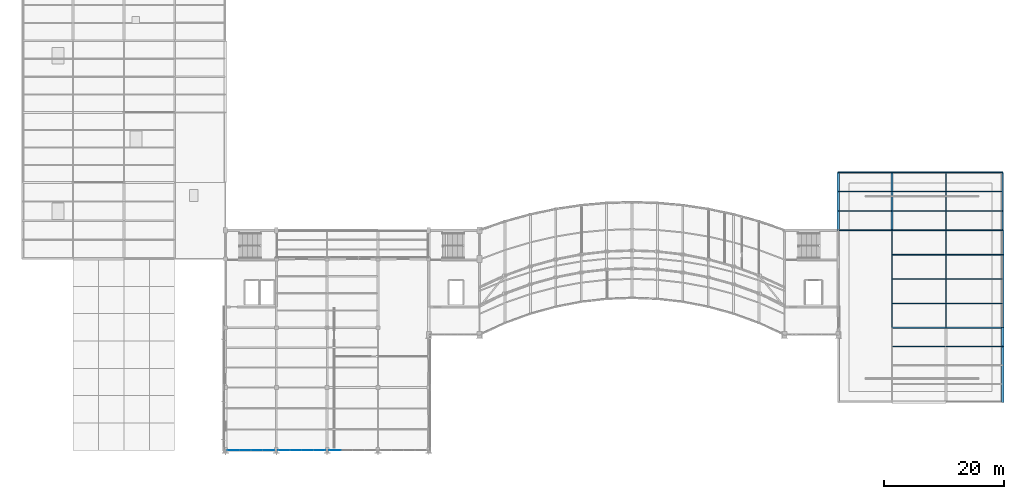
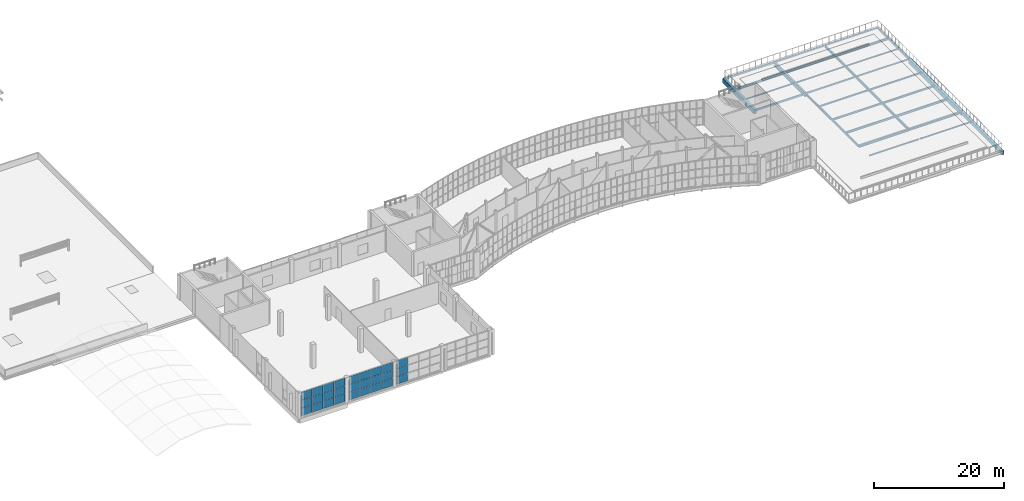
# One storey, part 40 of 66: 30 beams, 27 plates, 3 elements without a shape of their own.
"""IFC4 building model written with IfcOpenShell, lengths in metres."""

import ifcopenshell
import ifcopenshell.guid

model = None  # the IFC model being written
_history = None  # IfcOwnerHistory: only IFC2X3 demands one
_inside = {}  # id of a spatial element -> (the spatial element, [elements in it])
_under = {}  # id of a project, library or spatial element -> (it, [spatial elements below it])
_declared = {}  # id of a project -> (the project, [libraries it declares])
_typed = {}  # id of a type object -> (the type object, [elements of that type])
_made_of = {}  # id of a material, layer set ... -> (it, [elements and type objects made of it])


def new_model(schema):
    """Start an empty IFC model of exactly this schema.

    Asked for "IFC4X3", IfcOpenShell would pick the latest addendum, in which some entities
    have other attributes; the version numbers below select the first issue.
    IFC2X3 requires an IfcOwnerHistory on every rooted entity: one is made here for all.
    """
    global model, _history
    if schema == "IFC4X3":
        model = ifcopenshell.file(schema_version=(4, 3, 0, 0))
    else:
        model = ifcopenshell.file(schema=schema)
    _inside.clear()
    _under.clear()
    _declared.clear()
    _typed.clear()
    _made_of.clear()
    _history = None
    if model.schema == "IFC2X3":
        org = make("IfcOrganization", Name="unknown")
        user = make(
            "IfcPersonAndOrganization",
            ThePerson=make("IfcPerson", FamilyName="unknown"),
            TheOrganization=org,
        )
        app = make(
            "IfcApplication",
            ApplicationDeveloper=org,
            Version="unknown",
            ApplicationFullName="unknown",
            ApplicationIdentifier="unknown",
        )
        _history = make(
            "IfcOwnerHistory",
            OwningUser=user,
            OwningApplication=app,
            ChangeAction="ADDED",
            CreationDate=0,
        )
    return model


def make(cls, **values):
    """One entity of the class cls with the attributes given. An attribute that is None is left unset."""
    return model.create_entity(
        cls, **{name: value for name, value in values.items() if value is not None}
    )


def rooted(cls, **values):
    """An entity with a GlobalId (a new one), such as an element, a storey or a relation."""
    return make(cls, GlobalId=ifcopenshell.guid.new(), OwnerHistory=_history, **values)


def si_unit(unit_type, name, prefix=None):
    """IfcSIUnit, for example si_unit("LENGTHUNIT", "METRE", prefix="MILLI")."""
    return make("IfcSIUnit", UnitType=unit_type, Prefix=prefix, Name=name)


def assignment(units):
    """IfcUnitAssignment: the units of a project."""
    return None if units is None else make("IfcUnitAssignment", Units=units)


def point(xyz):
    """IfcCartesianPoint."""
    return None if xyz is None else make("IfcCartesianPoint", Coordinates=xyz)


def direction(xyz):
    """IfcDirection."""
    return None if xyz is None else make("IfcDirection", DirectionRatios=xyz)


def frame(location, z_axis=None, x_axis=None):
    """IfcAxis2Placement3D, a coordinate frame: its origin and axes. An axis left out is left unset."""
    return make(
        "IfcAxis2Placement3D",
        Location=point(location),
        Axis=direction(z_axis),
        RefDirection=direction(x_axis),
    )


def frame_2d(location, x_axis=None):
    """IfcAxis2Placement2D, a coordinate frame in the plane: its origin and x axis."""
    return make(
        "IfcAxis2Placement2D", Location=point(location), RefDirection=direction(x_axis)
    )


def origin():
    """The frame at (0, 0, 0) with its axes left unset."""
    return frame((0.0, 0.0, 0.0))


def origin_2d():
    """The frame at (0, 0) in the plane with its x axis left unset."""
    return frame_2d((0.0, 0.0))


def place(relative_to, where):
    """IfcLocalPlacement: puts the frame where relative to a parent placement (None: the world)."""
    return make(
        "IfcLocalPlacement", PlacementRelTo=relative_to, RelativePlacement=where
    )


def context(
    kind, dimensions, precision=None, world=None, true_north=None, identifier=None
):
    """IfcGeometricRepresentationContext, for example the 3D "Model" context."""
    return make(
        "IfcGeometricRepresentationContext",
        ContextIdentifier=identifier,
        ContextType=kind,
        CoordinateSpaceDimension=dimensions,
        Precision=precision,
        WorldCoordinateSystem=world,
        TrueNorth=true_north,
    )


def subcontext(parent, identifier, kind, view, scale=None):
    """IfcGeometricRepresentationSubContext, for example "Body" below "Model"."""
    return make(
        "IfcGeometricRepresentationSubContext",
        ContextIdentifier=identifier,
        ContextType=kind,
        ParentContext=parent,
        TargetScale=scale,
        TargetView=view,
    )


def project(units=None, contexts=None):
    """IfcProject with its units and contexts."""
    return rooted(
        "IfcProject",
        Name="project",
        RepresentationContexts=contexts,
        UnitsInContext=assignment(units),
    )


def spatial(cls, under=None, at=None, **own):
    """A site, building, storey or space (cls), placed at a placement, below another one or the project."""
    s = rooted(cls, ObjectPlacement=at, **own)
    if under is not None:
        _under.setdefault(under.id(), (under, []))[1].append(s)
    return s


def profile(cls, at=None, kind="AREA", **sizes):
    """A parametric profile (cls). Its sizes go by their IFC names, for example OverallWidth=200.0."""
    return make(cls, ProfileType=kind, Position=at, **sizes)


def rectangle(**sizes):
    """IfcRectangleProfileDef."""
    return profile("IfcRectangleProfileDef", **sizes)


def hollow_rectangle(**sizes):
    """IfcRectangleHollowProfileDef."""
    return profile("IfcRectangleHollowProfileDef", **sizes)


def i_section(**sizes):
    """IfcIShapeProfileDef."""
    return profile("IfcIShapeProfileDef", **sizes)


def extrude(swept, where, along, depth):
    """IfcExtrudedAreaSolid: the profile swept, set in the frame where, extruded along a direction by depth."""
    return make(
        "IfcExtrudedAreaSolid",
        SweptArea=swept,
        Position=where,
        ExtrudedDirection=direction(along),
        Depth=depth,
    )


def shape(context_of_items, identifier, shape_type, items):
    """IfcShapeRepresentation: the items that make up one representation, for example the "Body"."""
    return make(
        "IfcShapeRepresentation",
        ContextOfItems=context_of_items,
        RepresentationIdentifier=identifier,
        RepresentationType=shape_type,
        Items=items,
    )


def material(Name=None, Category=None):
    """IfcMaterial."""
    return make("IfcMaterial", Name=Name, Category=Category)


def layer(
    of_material, thickness, ventilated=None, Name=None, Category=None, Priority=None
):
    """IfcMaterialLayer: one layer of a wall or slab, of a material (None: an air gap)."""
    return make(
        "IfcMaterialLayer",
        Material=of_material,
        LayerThickness=thickness,
        IsVentilated=ventilated,
        Name=Name,
        Category=Category,
        Priority=Priority,
    )


def layer_set(layers, Name=None):
    """IfcMaterialLayerSet."""
    return make("IfcMaterialLayerSet", MaterialLayers=layers, LayerSetName=Name)


def material_profile(
    of_material, cross_section, Name=None, Category=None, Priority=None
):
    """IfcMaterialProfile: a cross section and its material."""
    return make(
        "IfcMaterialProfile",
        Name=Name,
        Material=of_material,
        Profile=cross_section,
        Priority=Priority,
        Category=Category,
    )


def profile_set(profiles, Name=None, composite=None):
    """IfcMaterialProfileSet."""
    return make(
        "IfcMaterialProfileSet",
        Name=Name,
        MaterialProfiles=profiles,
        CompositeProfile=composite,
    )


def made_of(thing, what):
    """Note that an element or type object is made of a material, layer set ...; save() writes the relation."""
    if what is not None:
        _made_of.setdefault(what.id(), (what, []))[1].append(thing)
    return thing


def type_object(cls, material=None, **own):
    """A type object (cls), such as IfcWallType, which elements share."""
    return made_of(rooted(cls, **own), material)


def element(
    cls,
    number,
    at=None,
    inside=None,
    cuts=None,
    type_object=None,
    material=None,
    context=None,
    identifier="Body",
    shape_type=None,
    held_by="IfcProductDefinitionShape",
    body=None,
    shapes=None,
    **own,
):
    """One element of the class cls, such as IfcWall. Its Tag is "e" and its number.

    at: its placement. inside: the storey or other place that contains it. cuts: it is an
    opening in that element (IfcRelVoidsElement). A single representation is given by context,
    identifier, shape_type and body (its items); several are given by shapes. held_by: the class
    of the entity that holds the representations. save() writes the other relations.
    """
    e = rooted(cls, Tag="e%d" % number, ObjectPlacement=at, **own)
    if body is not None:
        shapes = [shape(context, identifier, shape_type, body)]
    if shapes is not None:
        e.Representation = make(held_by, Representations=shapes)
    if inside is not None:
        _inside.setdefault(inside.id(), (inside, []))[1].append(e)
    if cuts is not None:
        rooted(
            "IfcRelVoidsElement", RelatingBuildingElement=cuts, RelatedOpeningElement=e
        )
    if type_object is not None:
        _typed.setdefault(type_object.id(), (type_object, []))[1].append(e)
    return made_of(e, material)


def aggregate(whole, parts):
    """IfcRelAggregates: a whole, such as a stair, and the parts it consists of."""
    return rooted("IfcRelAggregates", RelatingObject=whole, RelatedObjects=parts)


def save(model, path):
    """Write the relations noted so far, then the file.

    IfcRelAggregates (storeys below a building ...), IfcRelContainedInSpatialStructure (elements
    in a storey), IfcRelDefinesByType, IfcRelAssociatesMaterial and IfcRelDeclares: one each for
    every whole, place, type object, material and project.
    """
    for whole, parts in _under.values():
        aggregate(whole, parts)
    for where, things in _inside.values():
        rooted(
            "IfcRelContainedInSpatialStructure",
            RelatedElements=things,
            RelatingStructure=where,
        )
    for kind, things in _typed.values():
        rooted("IfcRelDefinesByType", RelatedObjects=things, RelatingType=kind)
    for what, things in _made_of.values():
        rooted("IfcRelAssociatesMaterial", RelatedObjects=things, RelatingMaterial=what)
    for by, libraries in _declared.values():
        rooted("IfcRelDeclares", RelatingContext=by, RelatedDefinitions=libraries)
    model.write(path)


model = new_model("IFC4")

# Units and contexts
model_context = context("Model", 3, precision=1e-05, world=origin(), true_north=direction((0.0, 1.0)))
body_context = subcontext(model_context, "Body", "Model", "MODEL_VIEW")
ifc_project = project(units=[si_unit("LENGTHUNIT", "METRE"), si_unit("AREAUNIT", "SQUARE_METRE"), si_unit("VOLUMEUNIT", "CUBIC_METRE"), si_unit("PLANEANGLEUNIT", "RADIAN"), si_unit("MASSUNIT", "GRAM", prefix="KILO")], contexts=[model_context])

# Site, building, storey
site_placement = place(None, origin())
site = spatial("IfcSite", under=ifc_project, at=site_placement, CompositionType="ELEMENT")
building_placement = place(site_placement, origin())
building = spatial("IfcBuilding", under=site, at=building_placement, Name="Solvikara Media Centre", CompositionType="ELEMENT")
storey_placement = place(building_placement, frame((0.0, 0.0, 19.800048828125)))
storey = spatial("IfcBuildingStorey", under=building, at=storey_placement, Name="L04", CompositionType="ELEMENT", Elevation=19.800048828125)

# Beams
ifc_material_1 = material(Name="Concrete fc' 35 MPa (C35/45)", Category="concrete")
ifc_material_profile_1 = material_profile(ifc_material_1, rectangle(XDim=0.39990234375, YDim=0.699951171875, at=origin_2d()), Name="RC 400x700")
ifc_profile_set_1 = profile_set([ifc_material_profile_1], Name="Concrete fc' 35 MPa (C35/45)")
beam_type_1 = type_object("IfcBeamType", Name="BM-13", PredefinedType="SPANDREL", material=ifc_profile_set_1)
beam_1_placement = place(storey_placement, frame((164.0, 8.0, -0.6201171875), z_axis=(0.0, 1.0, 0.0), x_axis=(-1.0, 0.0, 0.0)))
element("IfcBeam", 1, at=beam_1_placement, inside=storey, type_object=beam_type_1, Name="B-L04-Y1545", PredefinedType="SPANDREL", context=body_context, shape_type="SweptSolid", body=[
    extrude(rectangle(XDim=0.39990234375, YDim=0.699951171875, at=origin_2d()), origin(), (0.0, 0.0, 1.0), 12.5),
])
ifc_material_profile_2 = material_profile(ifc_material_1, rectangle(XDim=0.449951171875, YDim=0.85009765625, at=origin_2d()), Name="RC 450x850")
ifc_profile_set_2 = profile_set([ifc_material_profile_2], Name="Concrete fc' 35 MPa (C35/45)")
beam_type_2 = type_object("IfcBeamType", Name="BM-14", PredefinedType="SPANDREL", material=ifc_profile_set_2)
beam_2_placement = place(storey_placement, frame((136.5, 36.800048828125, -0.695068359375), z_axis=(0.0, 1.0, 0.0), x_axis=(-1.0, 0.0, 0.0)))
element("IfcBeam", 2, at=beam_2_placement, inside=storey, type_object=beam_type_2, Name="B-L04-Y1538", PredefinedType="SPANDREL", context=body_context, shape_type="SweptSolid", body=[
    extrude(rectangle(XDim=0.449951171875, YDim=0.85009765625, at=origin_2d()), origin(), (0.0, 0.0, 1.0), 9.699951171875),
])
beam_3_placement = place(storey_placement, frame((164.0, 20.5, -0.695068359375), z_axis=(0.0, 1.0, 0.0), x_axis=(-1.0, 0.0, 0.0)))
element("IfcBeam", 3, at=beam_3_placement, inside=storey, type_object=beam_type_2, Name="B-L04-Y1546", PredefinedType="SPANDREL", context=body_context, shape_type="SweptSolid", body=[
    extrude(rectangle(XDim=0.449951171875, YDim=0.85009765625, at=origin_2d()), origin(), (0.0, 0.0, 1.0), 16.300048828125),
])
ifc_material_2 = material(Name="Steel S355JR", Category="steel")
ifc_material_profile_3 = material_profile(ifc_material_2, i_section(OverallWidth=0.300048828125, OverallDepth=0.800048828125, WebThickness=0.013916015625, FlangeThickness=0.02587890625, at=origin_2d()), Name="WF 800x300x14x26")
ifc_profile_set_3 = profile_set([ifc_material_profile_3], Name="Steel S355JR")
beam_type_3 = type_object("IfcBeamType", Name="BM-16", PredefinedType="BEAM", material=ifc_profile_set_3)
beam_4_placement = place(storey_placement, frame((145.5, 36.800048828125, -0.672119140625), z_axis=(0.0, 1.0, 0.0), x_axis=(-1.0, 0.0, 0.0)))
element("IfcBeam", 4, at=beam_4_placement, inside=storey, type_object=beam_type_3, Name="B-L04-Y1541", PredefinedType="BEAM", context=body_context, shape_type="SweptSolid", body=[
    extrude(i_section(OverallWidth=0.300048828125, OverallDepth=0.800048828125, WebThickness=0.013916015625, FlangeThickness=0.02587890625, at=origin_2d()), origin(), (0.0, 0.0, 1.0), 9.699951171875),
])
ifc_material_profile_4 = material_profile(ifc_material_2, i_section(OverallWidth=0.199951171875, OverallDepth=0.5, WebThickness=0.010009765625, FlangeThickness=0.01611328125, at=origin_2d()), Name="WF 500x200x10x16")
ifc_profile_set_4 = profile_set([ifc_material_profile_4], Name="Steel S355JR")
beam_type_4 = type_object("IfcBeamType", Name="BM-19", PredefinedType="BEAM", material=ifc_profile_set_4)
beam_5_placement = place(storey_placement, frame((154.5, 20.5, -0.52197265625), z_axis=(0.0, 1.0, 0.0), x_axis=(-1.0, 0.0, 0.0)))
element("IfcBeam", 5, at=beam_5_placement, inside=storey, type_object=beam_type_4, Name="B-L04-Y1543", PredefinedType="BEAM", context=body_context, shape_type="SweptSolid", body=[
    extrude(i_section(OverallWidth=0.199951171875, OverallDepth=0.5, WebThickness=0.010009765625, FlangeThickness=0.01611328125, at=origin_2d()), origin(), (0.0, 0.0, 1.0), 16.300048828125),
])
ifc_material_profile_5 = material_profile(ifc_material_2, i_section(OverallWidth=0.199951171875, OverallDepth=0.449951171875, WebThickness=0.009033203125, FlangeThickness=0.013916015625, at=origin_2d()), Name="WF 450x200x9x14")
ifc_profile_set_5 = profile_set([ifc_material_profile_5], Name="Steel S355JR")
beam_type_5 = type_object("IfcBeamType", Name="BM-20", PredefinedType="BEAM", material=ifc_profile_set_5)
beam_6_placement = place(storey_placement, frame((154.5, 36.800048828125, -0.4970703125), z_axis=(0.0, 1.0, 0.0), x_axis=(-1.0, 0.0, 0.0)))
element("IfcBeam", 6, at=beam_6_placement, inside=storey, type_object=beam_type_5, Name="B-L04-Y1544", PredefinedType="BEAM", context=body_context, shape_type="SweptSolid", body=[
    extrude(i_section(OverallWidth=0.199951171875, OverallDepth=0.449951171875, WebThickness=0.009033203125, FlangeThickness=0.013916015625, at=origin_2d()), origin(), (0.0, 0.0, 1.0), 9.699951171875),
])
ifc_material_profile_6 = material_profile(ifc_material_2, i_section(OverallWidth=0.199951171875, OverallDepth=0.39990234375, WebThickness=0.008056640625, FlangeThickness=0.012939453125, at=origin_2d()), Name="WF 400x200x8x13")
ifc_profile_set_6 = profile_set([ifc_material_profile_6], Name="Steel S355JR")
beam_type_6 = type_object("IfcBeamType", Name="BM-21", PredefinedType="JOIST", material=ifc_profile_set_6)
for number, where, z_axis, x_axis, name in (
    (7, (136.577880859375, 43.26708984375, -0.47216796875), (1.0, 0.0, 0.0), (0.0, 1.0, 0.0), "J-L04-1617"),
    (8, (145.577880859375, 43.26708984375, -0.47216796875), (1.0, 0.0, 0.0), (0.0, 1.0, 0.0), "J-L04-1625"),
):
    element("IfcBeam", number, at=place(storey_placement, frame(where, z_axis=z_axis, x_axis=x_axis)), inside=storey, type_object=beam_type_6, Name=name, PredefinedType="JOIST", context=body_context, shape_type="SweptSolid", body=[
        extrude(i_section(OverallWidth=0.199951171875, OverallDepth=0.39990234375, WebThickness=0.008056640625, FlangeThickness=0.012939453125, at=origin_2d()), origin(), (0.0, 0.0, 1.0), 8.84423828125),
    ])
beam_7_placement = place(storey_placement, frame((154.577880859375, 43.26708984375, -0.47216796875), z_axis=(1.0, 0.0, 0.0), x_axis=(0.0, 1.0, 0.0)))
element("IfcBeam", 9, at=beam_7_placement, inside=storey, type_object=beam_type_6, Name="J-L04-1633", PredefinedType="JOIST", context=body_context, shape_type="SweptSolid", body=[
    extrude(i_section(OverallWidth=0.199951171875, OverallDepth=0.39990234375, WebThickness=0.008056640625, FlangeThickness=0.012939453125, at=origin_2d()), origin(), (0.0, 0.0, 1.0), 9.422119140625),
])
ifc_material_profile_7 = material_profile(ifc_material_2, i_section(OverallWidth=0.125, OverallDepth=0.25, WebThickness=0.006103515625, FlangeThickness=0.009033203125, at=origin_2d()), Name="WF 250x125x6x9")
ifc_profile_set_7 = profile_set([ifc_material_profile_7], Name="Steel S355JR")
beam_type_7 = type_object("IfcBeamType", Name="BM-24", PredefinedType="JOIST", material=ifc_profile_set_7)
beam_8_placement = place(storey_placement, frame((145.577880859375, 17.375, -0.39697265625), z_axis=(1.0, 0.0, 0.0), x_axis=(0.0, 1.0, 0.0)))
element("IfcBeam", 10, at=beam_8_placement, inside=storey, type_object=beam_type_7, Name="J-L04-1620", PredefinedType="JOIST", context=body_context, shape_type="SweptSolid", body=[
    extrude(i_section(OverallWidth=0.125, OverallDepth=0.25, WebThickness=0.006103515625, FlangeThickness=0.009033203125, at=origin_2d()), origin(), (0.0, 0.0, 1.0), 8.84423828125),
])
beam_9_placement = place(storey_placement, frame((154.577880859375, 17.375, -0.39697265625), z_axis=(1.0, 0.0, 0.0), x_axis=(0.0, 1.0, 0.0)))
element("IfcBeam", 11, at=beam_9_placement, inside=storey, type_object=beam_type_7, Name="J-L04-1628", PredefinedType="JOIST", context=body_context, shape_type="SweptSolid", body=[
    extrude(i_section(OverallWidth=0.125, OverallDepth=0.25, WebThickness=0.006103515625, FlangeThickness=0.009033203125, at=origin_2d()), origin(), (0.0, 0.0, 1.0), 9.422119140625),
])
ifc_material_profile_8 = material_profile(ifc_material_2, i_section(OverallWidth=0.300048828125, OverallDepth=0.43994140625, WebThickness=0.010986328125, FlangeThickness=0.01806640625, at=origin_2d()), Name="H 440x300x11x18")
ifc_profile_set_8 = profile_set([ifc_material_profile_8], Name="Steel S355JR")
beam_type_8 = type_object("IfcBeamType", Name="BM-28", PredefinedType="BEAM", material=ifc_profile_set_8)
beam_10_placement = place(storey_placement, frame((145.5, 20.5, -0.491943359375), z_axis=(1.0, 0.0, 0.0), x_axis=(0.0, 1.0, 0.0)))
element("IfcBeam", 12, at=beam_10_placement, inside=storey, type_object=beam_type_8, Name="B-L04-X1450", PredefinedType="BEAM", context=body_context, shape_type="SweptSolid", body=[
    extrude(i_section(OverallWidth=0.300048828125, OverallDepth=0.43994140625, WebThickness=0.010986328125, FlangeThickness=0.01806640625, at=origin_2d()), origin(), (0.0, 0.0, 1.0), 9.0),
])
ifc_material_profile_9 = material_profile(ifc_material_2, i_section(OverallWidth=0.300048828125, OverallDepth=0.389892578125, WebThickness=0.010009765625, FlangeThickness=0.01611328125, at=origin_2d()), Name="H 390x300x10x16")
ifc_profile_set_9 = profile_set([ifc_material_profile_9], Name="Steel S355JR")
beam_type_9 = type_object("IfcBeamType", Name="BM-29", PredefinedType="BEAM", material=ifc_profile_set_9)
beam_11_placement = place(storey_placement, frame((154.5, 20.5, -0.467041015625), z_axis=(1.0, 0.0, 0.0), x_axis=(0.0, 1.0, 0.0)))
element("IfcBeam", 13, at=beam_11_placement, inside=storey, type_object=beam_type_9, Name="B-L04-X1451", PredefinedType="BEAM", context=body_context, shape_type="SweptSolid", body=[
    extrude(i_section(OverallWidth=0.300048828125, OverallDepth=0.389892578125, WebThickness=0.010009765625, FlangeThickness=0.01611328125, at=origin_2d()), origin(), (0.0, 0.0, 1.0), 9.5),
])
ifc_material_profile_10 = material_profile(ifc_material_2, hollow_rectangle(XDim=0.199951171875, YDim=0.39990234375, WallThickness=0.011962890625, at=origin_2d()), Name="RHS 400x200x12")
ifc_profile_set_10 = profile_set([ifc_material_profile_10], Name="Steel S355JR")
beam_type_10 = type_object("IfcBeamType", Name="BM-33", PredefinedType="SPANDREL", material=ifc_profile_set_10)
beam_12_placement = place(storey_placement, frame((164.0, 36.800048828125, -0.47216796875), z_axis=(0.0, 1.0, 0.0), x_axis=(-1.0, 0.0, 0.0)))
element("IfcBeam", 14, at=beam_12_placement, inside=storey, type_object=beam_type_10, Name="B-L04-Y1547", PredefinedType="SPANDREL", context=body_context, shape_type="SweptSolid", body=[
    extrude(hollow_rectangle(XDim=0.199951171875, YDim=0.39990234375, WallThickness=0.011962890625, at=origin_2d()), origin(), (0.0, 0.0, 1.0), 9.699951171875),
])
ifc_material_profile_11 = material_profile(ifc_material_2, hollow_rectangle(XDim=0.175048828125, YDim=0.35009765625, WallThickness=0.010009765625, at=origin_2d()), Name="RHS 350x175x10")
ifc_profile_set_11 = profile_set([ifc_material_profile_11], Name="Steel S355JR")
beam_type_11 = type_object("IfcBeamType", Name="BM-34", PredefinedType="SPANDREL", material=ifc_profile_set_11)
for number, where, z_axis, x_axis, name in (
    (15, (136.5, 36.800048828125, -0.447021484375), (1.0, 0.0, 0.0), (0.0, 1.0, 0.0), "B-L04-X1462"),
    (16, (136.5, 46.5, -0.447021484375), (1.0, 0.0, 0.0), (0.0, 1.0, 0.0), "B-L04-X1468"),
):
    element("IfcBeam", number, at=place(storey_placement, frame(where, z_axis=z_axis, x_axis=x_axis)), inside=storey, type_object=beam_type_11, Name=name, PredefinedType="SPANDREL", context=body_context, shape_type="SweptSolid", body=[
        extrude(hollow_rectangle(XDim=0.175048828125, YDim=0.35009765625, WallThickness=0.010009765625, at=origin_2d()), origin(), (0.0, 0.0, 1.0), 9.0),
    ])
ifc_material_profile_12 = material_profile(ifc_material_2, hollow_rectangle(XDim=0.14990234375, YDim=0.300048828125, WallThickness=0.010009765625, at=origin_2d()), Name="RHS 300x150x10")
ifc_profile_set_12 = profile_set([ifc_material_profile_12], Name="Steel S355JR")
beam_type_12 = type_object("IfcBeamType", Name="BM-35", PredefinedType="BEAM", material=ifc_profile_set_12)
for number, where, z_axis, x_axis, name in (
    (17, (145.5, 36.800048828125, -0.422119140625), (1.0, 0.0, 0.0), (0.0, 1.0, 0.0), "B-L04-X1463"),
    (18, (145.5, 46.5, -0.422119140625), (1.0, 0.0, 0.0), (0.0, 1.0, 0.0), "B-L04-X1469"),
):
    element("IfcBeam", number, at=place(storey_placement, frame(where, z_axis=z_axis, x_axis=x_axis)), inside=storey, type_object=beam_type_12, Name=name, PredefinedType="BEAM", context=body_context, shape_type="SweptSolid", body=[
        extrude(hollow_rectangle(XDim=0.14990234375, YDim=0.300048828125, WallThickness=0.010009765625, at=origin_2d()), origin(), (0.0, 0.0, 1.0), 9.0),
    ])
ifc_material_profile_13 = material_profile(ifc_material_2, hollow_rectangle(XDim=0.14990234375, YDim=0.25, WallThickness=0.008056640625, at=origin_2d()), Name="RHS 250x150x8")
ifc_profile_set_13 = profile_set([ifc_material_profile_13], Name="Steel S355JR")
beam_type_13 = type_object("IfcBeamType", Name="BM-36", PredefinedType="JOIST", material=ifc_profile_set_13)
for number, where, z_axis, x_axis, name in (
    (19, (154.5, 36.800048828125, -0.39697265625), (1.0, 0.0, 0.0), (0.0, 1.0, 0.0), "B-L04-X1464"),
    (20, (154.5, 46.5, -0.39697265625), (1.0, 0.0, 0.0), (0.0, 1.0, 0.0), "B-L04-X1470"),
):
    element("IfcBeam", number, at=place(storey_placement, frame(where, z_axis=z_axis, x_axis=x_axis)), inside=storey, type_object=beam_type_13, Name=name, PredefinedType="JOIST", context=body_context, shape_type="SweptSolid", body=[
        extrude(hollow_rectangle(XDim=0.14990234375, YDim=0.25, WallThickness=0.008056640625, at=origin_2d()), origin(), (0.0, 0.0, 1.0), 9.5),
    ])
ifc_material_profile_14 = material_profile(ifc_material_2, i_section(OverallWidth=0.198974609375, OverallDepth=0.39599609375, WebThickness=0.007080078125, FlangeThickness=0.010986328125, at=origin_2d()), Name="WF 396x199x7x11")
ifc_profile_set_14 = profile_set([ifc_material_profile_14], Name="Steel S355JR")
beam_type_14 = type_object("IfcBeamType", Name="BM-37", PredefinedType="JOIST", material=ifc_profile_set_14)
beam_13_placement = place(storey_placement, frame((145.577880859375, 24.574951171875, -0.469970703125), z_axis=(1.0, 0.0, 0.0), x_axis=(0.0, 1.0, 0.0)))
element("IfcBeam", 21, at=beam_13_placement, inside=storey, type_object=beam_type_14, Name="J-L04-1621", PredefinedType="JOIST", context=body_context, shape_type="SweptSolid", body=[
    extrude(i_section(OverallWidth=0.198974609375, OverallDepth=0.39599609375, WebThickness=0.007080078125, FlangeThickness=0.010986328125, at=origin_2d()), origin(), (0.0, 0.0, 1.0), 8.84423828125),
])
beam_14_placement = place(storey_placement, frame((154.577880859375, 24.574951171875, -0.469970703125), z_axis=(1.0, 0.0, 0.0), x_axis=(0.0, 1.0, 0.0)))
element("IfcBeam", 22, at=beam_14_placement, inside=storey, type_object=beam_type_14, Name="J-L04-1629", PredefinedType="JOIST", context=body_context, shape_type="SweptSolid", body=[
    extrude(i_section(OverallWidth=0.198974609375, OverallDepth=0.39599609375, WebThickness=0.007080078125, FlangeThickness=0.010986328125, at=origin_2d()), origin(), (0.0, 0.0, 1.0), 9.422119140625),
])
ifc_material_profile_15 = material_profile(ifc_material_2, i_section(OverallWidth=0.174072265625, OverallDepth=0.345947265625, WebThickness=0.006103515625, FlangeThickness=0.009033203125, at=origin_2d()), Name="WF 346x174x6x9")
ifc_profile_set_15 = profile_set([ifc_material_profile_15], Name="Steel S355JR")
beam_type_15 = type_object("IfcBeamType", Name="BM-38", PredefinedType="JOIST", material=ifc_profile_set_15)
beam_15_placement = place(storey_placement, frame((145.577880859375, 28.64990234375, -0.445068359375), z_axis=(1.0, 0.0, 0.0), x_axis=(0.0, 1.0, 0.0)))
element("IfcBeam", 23, at=beam_15_placement, inside=storey, type_object=beam_type_15, Name="J-L04-1622", PredefinedType="JOIST", context=body_context, shape_type="SweptSolid", body=[
    extrude(i_section(OverallWidth=0.174072265625, OverallDepth=0.345947265625, WebThickness=0.006103515625, FlangeThickness=0.009033203125, at=origin_2d()), origin(), (0.0, 0.0, 1.0), 8.84423828125),
])
beam_16_placement = place(storey_placement, frame((154.577880859375, 28.64990234375, -0.445068359375), z_axis=(1.0, 0.0, 0.0), x_axis=(0.0, 1.0, 0.0)))
element("IfcBeam", 24, at=beam_16_placement, inside=storey, type_object=beam_type_15, Name="J-L04-1630", PredefinedType="JOIST", context=body_context, shape_type="SweptSolid", body=[
    extrude(i_section(OverallWidth=0.174072265625, OverallDepth=0.345947265625, WebThickness=0.006103515625, FlangeThickness=0.009033203125, at=origin_2d()), origin(), (0.0, 0.0, 1.0), 9.422119140625),
])
ifc_material_profile_16 = material_profile(ifc_material_2, i_section(OverallWidth=0.14892578125, OverallDepth=0.298095703125, WebThickness=0.005615234375, FlangeThickness=0.008056640625, at=origin_2d()), Name="WF 298x149x5.5x8")
ifc_profile_set_16 = profile_set([ifc_material_profile_16], Name="Steel S355JR")
beam_type_16 = type_object("IfcBeamType", Name="BM-39", PredefinedType="JOIST", material=ifc_profile_set_16)
beam_17_placement = place(storey_placement, frame((145.577880859375, 32.72509765625, -0.421142578125), z_axis=(1.0, 0.0, 0.0), x_axis=(0.0, 1.0, 0.0)))
element("IfcBeam", 25, at=beam_17_placement, inside=storey, type_object=beam_type_16, Name="J-L04-1623", PredefinedType="JOIST", context=body_context, shape_type="SweptSolid", body=[
    extrude(i_section(OverallWidth=0.14892578125, OverallDepth=0.298095703125, WebThickness=0.005615234375, FlangeThickness=0.008056640625, at=origin_2d()), origin(), (0.0, 0.0, 1.0), 8.84423828125),
])
beam_18_placement = place(storey_placement, frame((154.577880859375, 32.72509765625, -0.421142578125), z_axis=(1.0, 0.0, 0.0), x_axis=(0.0, 1.0, 0.0)))
element("IfcBeam", 26, at=beam_18_placement, inside=storey, type_object=beam_type_16, Name="J-L04-1631", PredefinedType="JOIST", context=body_context, shape_type="SweptSolid", body=[
    extrude(i_section(OverallWidth=0.14892578125, OverallDepth=0.298095703125, WebThickness=0.005615234375, FlangeThickness=0.008056640625, at=origin_2d()), origin(), (0.0, 0.0, 1.0), 9.422119140625),
])
ifc_material_profile_17 = material_profile(ifc_material_2, i_section(OverallWidth=0.1240234375, OverallDepth=0.248046875, WebThickness=0.0048828125, FlangeThickness=0.008056640625, at=origin_2d()), Name="WF 248x124x5x8")
ifc_profile_set_17 = profile_set([ifc_material_profile_17], Name="Steel S355JR")
beam_type_17 = type_object("IfcBeamType", Name="BM-40", PredefinedType="JOIST", material=ifc_profile_set_17)
for number, where, z_axis, x_axis, name in (
    (27, (136.577880859375, 40.032958984375, -0.39599609375), (1.0, 0.0, 0.0), (0.0, 1.0, 0.0), "J-L04-1616"),
    (28, (145.577880859375, 40.032958984375, -0.39599609375), (1.0, 0.0, 0.0), (0.0, 1.0, 0.0), "J-L04-1624"),
):
    element("IfcBeam", number, at=place(storey_placement, frame(where, z_axis=z_axis, x_axis=x_axis)), inside=storey, type_object=beam_type_17, Name=name, PredefinedType="JOIST", context=body_context, shape_type="SweptSolid", body=[
        extrude(i_section(OverallWidth=0.1240234375, OverallDepth=0.248046875, WebThickness=0.0048828125, FlangeThickness=0.008056640625, at=origin_2d()), origin(), (0.0, 0.0, 1.0), 8.84423828125),
    ])
beam_19_placement = place(storey_placement, frame((154.577880859375, 40.032958984375, -0.39599609375), z_axis=(1.0, 0.0, 0.0), x_axis=(0.0, 1.0, 0.0)))
element("IfcBeam", 29, at=beam_19_placement, inside=storey, type_object=beam_type_17, Name="J-L04-1632", PredefinedType="JOIST", context=body_context, shape_type="SweptSolid", body=[
    extrude(i_section(OverallWidth=0.1240234375, OverallDepth=0.248046875, WebThickness=0.0048828125, FlangeThickness=0.008056640625, at=origin_2d()), origin(), (0.0, 0.0, 1.0), 9.422119140625),
])
ifc_material_profile_18 = material_profile(ifc_material_2, i_section(OverallWidth=0.198974609375, OverallDepth=0.39599609375, WebThickness=0.007080078125, FlangeThickness=0.010986328125, at=origin_2d()), Name="H 396x199x7x11")
ifc_profile_set_18 = profile_set([ifc_material_profile_18], Name="Steel S355JR")
beam_type_18 = type_object("IfcBeamType", Name="BM-44", PredefinedType="BEAM", material=ifc_profile_set_18)
beam_20_placement = place(storey_placement, frame((145.5, 20.5, -0.469970703125), z_axis=(0.0, 1.0, 0.0), x_axis=(-1.0, 0.0, 0.0)))
element("IfcBeam", 30, at=beam_20_placement, inside=storey, type_object=beam_type_18, Name="B-L04-Y1540", PredefinedType="BEAM", context=body_context, shape_type="SweptSolid", body=[
    extrude(i_section(OverallWidth=0.198974609375, OverallDepth=0.39599609375, WebThickness=0.007080078125, FlangeThickness=0.010986328125, at=origin_2d()), origin(), (0.0, 0.0, 1.0), 16.300048828125),
])

# Curtain wall, plates
ifc_material_3 = material(Name="Anodised aluminium EN AW-6063", Category="aluminium")
curtain_wall_type = type_object("IfcCurtainWallType", Name="CW-15", PredefinedType="NOTDEFINED", material=ifc_material_3)
curtain_wall_1_placement = place(storey_placement, origin())
curtain_wall_1 = element("IfcCurtainWall", 31, at=curtain_wall_1_placement, inside=storey, type_object=curtain_wall_type, Name="CW-L04-V6S-1", PredefinedType="NOTDEFINED")
ifc_material_4 = material(Name="Ceramic-fritted teal low-E glass", Category="glass")
ifc_layer_1 = layer(ifc_material_4, 0.0380859375)
ifc_layer_set_1 = layer_set([ifc_layer_1], Name="Ceramic-fritted teal low-E glass")
plate_type_1 = type_object("IfcPlateType", Name="PN-08", PredefinedType="CURTAIN_PANEL", material=ifc_layer_set_1)
plate_1_placement = place(storey_placement, frame((35.31689453125, 0.0, 0.034423828125), z_axis=(0.0, 0.0, 1.0), x_axis=(1.0, 0.0, 0.0)))
plate_1 = element("IfcPlate", 32, at=plate_1_placement, type_object=plate_type_1, Name="CW-L04-V6S-1-P0000", PredefinedType="CURTAIN_PANEL", context=body_context, shape_type="SweptSolid", body=[
    extrude(rectangle(XDim=1.925048828125, YDim=0.0380859375, at=origin_2d()), origin(), (0.0, 0.0, 1.0), 1.45703125),
])
plate_2_placement = place(storey_placement, frame((35.31689453125, 0.0, 3.008544921875), z_axis=(0.0, 0.0, 1.0), x_axis=(1.0, 0.0, 0.0)))
plate_2 = element("IfcPlate", 33, at=plate_2_placement, type_object=plate_type_1, Name="CW-L04-V6S-1-P0002", PredefinedType="CURTAIN_PANEL", context=body_context, shape_type="SweptSolid", body=[
    extrude(rectangle(XDim=1.925048828125, YDim=0.0380859375, at=origin_2d()), origin(), (0.0, 0.0, 1.0), 1.45703125),
])
plate_3_placement = place(storey_placement, frame((37.27197265625, 0.0, 1.521484375), z_axis=(0.0, 0.0, 1.0), x_axis=(1.0, 0.0, 0.0)))
plate_3 = element("IfcPlate", 34, at=plate_3_placement, type_object=plate_type_1, Name="CW-L04-V6S-1-P0101", PredefinedType="CURTAIN_PANEL", context=body_context, shape_type="SweptSolid", body=[
    extrude(rectangle(XDim=1.925048828125, YDim=0.0380859375, at=origin_2d()), origin(), (0.0, 0.0, 1.0), 1.45703125),
])
plate_4_placement = place(storey_placement, frame((39.22705078125, 0.0, 0.034423828125), z_axis=(0.0, 0.0, 1.0), x_axis=(1.0, 0.0, 0.0)))
plate_4 = element("IfcPlate", 35, at=plate_4_placement, type_object=plate_type_1, Name="CW-L04-V6S-1-P0200", PredefinedType="CURTAIN_PANEL", context=body_context, shape_type="SweptSolid", body=[
    extrude(rectangle(XDim=1.925048828125, YDim=0.0380859375, at=origin_2d()), origin(), (0.0, 0.0, 1.0), 1.45703125),
])
plate_5_placement = place(storey_placement, frame((39.22705078125, 0.0, 3.008544921875), z_axis=(0.0, 0.0, 1.0), x_axis=(1.0, 0.0, 0.0)))
plate_5 = element("IfcPlate", 36, at=plate_5_placement, type_object=plate_type_1, Name="CW-L04-V6S-1-P0202", PredefinedType="CURTAIN_PANEL", context=body_context, shape_type="SweptSolid", body=[
    extrude(rectangle(XDim=1.925048828125, YDim=0.0380859375, at=origin_2d()), origin(), (0.0, 0.0, 1.0), 1.45703125),
])
plate_6_placement = place(storey_placement, frame((41.181884765625, 0.0, 1.521484375), z_axis=(0.0, 0.0, 1.0), x_axis=(1.0, 0.0, 0.0)))
plate_6 = element("IfcPlate", 37, at=plate_6_placement, type_object=plate_type_1, Name="CW-L04-V6S-1-P0301", PredefinedType="CURTAIN_PANEL", context=body_context, shape_type="SweptSolid", body=[
    extrude(rectangle(XDim=1.925048828125, YDim=0.0380859375, at=origin_2d()), origin(), (0.0, 0.0, 1.0), 1.45703125),
])

curtain_wall_2_placement = place(storey_placement, origin())
curtain_wall_2 = element("IfcCurtainWall", 38, at=curtain_wall_2_placement, inside=storey, type_object=curtain_wall_type, Name="CW-L04-V6S-2", PredefinedType="NOTDEFINED")
plate_7_placement = place(storey_placement, frame((43.81689453125, 0.0, 0.034423828125), z_axis=(0.0, 0.0, 1.0), x_axis=(1.0, 0.0, 0.0)))
plate_7 = element("IfcPlate", 39, at=plate_7_placement, type_object=plate_type_1, Name="CW-L04-V6S-2-P0000", PredefinedType="CURTAIN_PANEL", context=body_context, shape_type="SweptSolid", body=[
    extrude(rectangle(XDim=1.925048828125, YDim=0.0380859375, at=origin_2d()), origin(), (0.0, 0.0, 1.0), 1.45703125),
])
plate_8_placement = place(storey_placement, frame((43.81689453125, 0.0, 3.008544921875), z_axis=(0.0, 0.0, 1.0), x_axis=(1.0, 0.0, 0.0)))
plate_8 = element("IfcPlate", 40, at=plate_8_placement, type_object=plate_type_1, Name="CW-L04-V6S-2-P0002", PredefinedType="CURTAIN_PANEL", context=body_context, shape_type="SweptSolid", body=[
    extrude(rectangle(XDim=1.925048828125, YDim=0.0380859375, at=origin_2d()), origin(), (0.0, 0.0, 1.0), 1.45703125),
])
plate_9_placement = place(storey_placement, frame((45.77197265625, 0.0, 1.521484375), z_axis=(0.0, 0.0, 1.0), x_axis=(1.0, 0.0, 0.0)))
plate_9 = element("IfcPlate", 41, at=plate_9_placement, type_object=plate_type_1, Name="CW-L04-V6S-2-P0101", PredefinedType="CURTAIN_PANEL", context=body_context, shape_type="SweptSolid", body=[
    extrude(rectangle(XDim=1.925048828125, YDim=0.0380859375, at=origin_2d()), origin(), (0.0, 0.0, 1.0), 1.45703125),
])
plate_10_placement = place(storey_placement, frame((47.72705078125, 0.0, 0.034423828125), z_axis=(0.0, 0.0, 1.0), x_axis=(1.0, 0.0, 0.0)))
plate_10 = element("IfcPlate", 42, at=plate_10_placement, type_object=plate_type_1, Name="CW-L04-V6S-2-P0200", PredefinedType="CURTAIN_PANEL", context=body_context, shape_type="SweptSolid", body=[
    extrude(rectangle(XDim=1.925048828125, YDim=0.0380859375, at=origin_2d()), origin(), (0.0, 0.0, 1.0), 1.45703125),
])
plate_11_placement = place(storey_placement, frame((47.72705078125, 0.0, 3.008544921875), z_axis=(0.0, 0.0, 1.0), x_axis=(1.0, 0.0, 0.0)))
plate_11 = element("IfcPlate", 43, at=plate_11_placement, type_object=plate_type_1, Name="CW-L04-V6S-2-P0202", PredefinedType="CURTAIN_PANEL", context=body_context, shape_type="SweptSolid", body=[
    extrude(rectangle(XDim=1.925048828125, YDim=0.0380859375, at=origin_2d()), origin(), (0.0, 0.0, 1.0), 1.45703125),
])
plate_12_placement = place(storey_placement, frame((49.681884765625, 0.0, 1.521484375), z_axis=(0.0, 0.0, 1.0), x_axis=(1.0, 0.0, 0.0)))
plate_12 = element("IfcPlate", 44, at=plate_12_placement, type_object=plate_type_1, Name="CW-L04-V6S-2-P0301", PredefinedType="CURTAIN_PANEL", context=body_context, shape_type="SweptSolid", body=[
    extrude(rectangle(XDim=1.925048828125, YDim=0.0380859375, at=origin_2d()), origin(), (0.0, 0.0, 1.0), 1.45703125),
])

curtain_wall_3_placement = place(storey_placement, origin())
curtain_wall_3 = element("IfcCurtainWall", 45, at=curtain_wall_3_placement, inside=storey, type_object=curtain_wall_type, Name="CW-L04-V6S-3", PredefinedType="NOTDEFINED")
plate_13_placement = place(storey_placement, frame((52.31689453125, 0.0, 0.034423828125), z_axis=(0.0, 0.0, 1.0), x_axis=(1.0, 0.0, 0.0)))
plate_13 = element("IfcPlate", 46, at=plate_13_placement, type_object=plate_type_1, Name="CW-L04-V6S-3-P0000", PredefinedType="CURTAIN_PANEL", context=body_context, shape_type="SweptSolid", body=[
    extrude(rectangle(XDim=1.925048828125, YDim=0.0380859375, at=origin_2d()), origin(), (0.0, 0.0, 1.0), 1.45703125),
])
plate_14_placement = place(storey_placement, frame((52.31689453125, 0.0, 3.008544921875), z_axis=(0.0, 0.0, 1.0), x_axis=(1.0, 0.0, 0.0)))
plate_14 = element("IfcPlate", 47, at=plate_14_placement, type_object=plate_type_1, Name="CW-L04-V6S-3-P0002", PredefinedType="CURTAIN_PANEL", context=body_context, shape_type="SweptSolid", body=[
    extrude(rectangle(XDim=1.925048828125, YDim=0.0380859375, at=origin_2d()), origin(), (0.0, 0.0, 1.0), 1.45703125),
])

# Plate
ifc_material_5 = material(Name="Insulated silver-pearl glass spandrel panel", Category="glass")
ifc_layer_2 = layer(ifc_material_5, 0.054931640625)
ifc_layer_set_2 = layer_set([ifc_layer_2], Name="Insulated silver-pearl glass spandrel panel")
plate_type_2 = type_object("IfcPlateType", Name="PN-09", PredefinedType="CURTAIN_PANEL", material=ifc_layer_set_2)
plate_15_placement = place(storey_placement, frame((35.31689453125, 0.0, 1.521484375), z_axis=(0.0, 0.0, 1.0), x_axis=(1.0, 0.0, 0.0)))
plate_15 = element("IfcPlate", 48, at=plate_15_placement, type_object=plate_type_2, Name="CW-L04-V6S-1-P0001", PredefinedType="CURTAIN_PANEL", context=body_context, shape_type="SweptSolid", body=[
    extrude(rectangle(XDim=1.925048828125, YDim=0.054931640625, at=origin_2d()), origin(), (0.0, 0.0, 1.0), 1.45703125),
])

plate_16_placement = place(storey_placement, frame((37.27197265625, 0.0, 0.034423828125), z_axis=(0.0, 0.0, 1.0), x_axis=(1.0, 0.0, 0.0)))
plate_16 = element("IfcPlate", 49, at=plate_16_placement, type_object=plate_type_2, Name="CW-L04-V6S-1-P0100", PredefinedType="CURTAIN_PANEL", context=body_context, shape_type="SweptSolid", body=[
    extrude(rectangle(XDim=1.925048828125, YDim=0.054931640625, at=origin_2d()), origin(), (0.0, 0.0, 1.0), 1.45703125),
])

plate_17_placement = place(storey_placement, frame((37.27197265625, 0.0, 3.008544921875), z_axis=(0.0, 0.0, 1.0), x_axis=(1.0, 0.0, 0.0)))
plate_17 = element("IfcPlate", 50, at=plate_17_placement, type_object=plate_type_2, Name="CW-L04-V6S-1-P0102", PredefinedType="CURTAIN_PANEL", context=body_context, shape_type="SweptSolid", body=[
    extrude(rectangle(XDim=1.925048828125, YDim=0.054931640625, at=origin_2d()), origin(), (0.0, 0.0, 1.0), 1.45703125),
])

plate_18_placement = place(storey_placement, frame((39.22705078125, 0.0, 1.521484375), z_axis=(0.0, 0.0, 1.0), x_axis=(1.0, 0.0, 0.0)))
plate_18 = element("IfcPlate", 51, at=plate_18_placement, type_object=plate_type_2, Name="CW-L04-V6S-1-P0201", PredefinedType="CURTAIN_PANEL", context=body_context, shape_type="SweptSolid", body=[
    extrude(rectangle(XDim=1.925048828125, YDim=0.054931640625, at=origin_2d()), origin(), (0.0, 0.0, 1.0), 1.45703125),
])

plate_19_placement = place(storey_placement, frame((41.181884765625, 0.0, 0.034423828125), z_axis=(0.0, 0.0, 1.0), x_axis=(1.0, 0.0, 0.0)))
plate_19 = element("IfcPlate", 52, at=plate_19_placement, type_object=plate_type_2, Name="CW-L04-V6S-1-P0300", PredefinedType="CURTAIN_PANEL", context=body_context, shape_type="SweptSolid", body=[
    extrude(rectangle(XDim=1.925048828125, YDim=0.054931640625, at=origin_2d()), origin(), (0.0, 0.0, 1.0), 1.45703125),
])

plate_20_placement = place(storey_placement, frame((41.181884765625, 0.0, 3.008544921875), z_axis=(0.0, 0.0, 1.0), x_axis=(1.0, 0.0, 0.0)))
plate_20 = element("IfcPlate", 53, at=plate_20_placement, type_object=plate_type_2, Name="CW-L04-V6S-1-P0302", PredefinedType="CURTAIN_PANEL", context=body_context, shape_type="SweptSolid", body=[
    extrude(rectangle(XDim=1.925048828125, YDim=0.054931640625, at=origin_2d()), origin(), (0.0, 0.0, 1.0), 1.45703125),
])

aggregate(curtain_wall_1, [plate_1, plate_15, plate_2, plate_16, plate_3, plate_17, plate_4, plate_18, plate_5, plate_19, plate_6, plate_20])

plate_21_placement = place(storey_placement, frame((43.81689453125, 0.0, 1.521484375), z_axis=(0.0, 0.0, 1.0), x_axis=(1.0, 0.0, 0.0)))
plate_21 = element("IfcPlate", 54, at=plate_21_placement, type_object=plate_type_2, Name="CW-L04-V6S-2-P0001", PredefinedType="CURTAIN_PANEL", context=body_context, shape_type="SweptSolid", body=[
    extrude(rectangle(XDim=1.925048828125, YDim=0.054931640625, at=origin_2d()), origin(), (0.0, 0.0, 1.0), 1.45703125),
])

plate_22_placement = place(storey_placement, frame((45.77197265625, 0.0, 0.034423828125), z_axis=(0.0, 0.0, 1.0), x_axis=(1.0, 0.0, 0.0)))
plate_22 = element("IfcPlate", 55, at=plate_22_placement, type_object=plate_type_2, Name="CW-L04-V6S-2-P0100", PredefinedType="CURTAIN_PANEL", context=body_context, shape_type="SweptSolid", body=[
    extrude(rectangle(XDim=1.925048828125, YDim=0.054931640625, at=origin_2d()), origin(), (0.0, 0.0, 1.0), 1.45703125),
])

plate_23_placement = place(storey_placement, frame((45.77197265625, 0.0, 3.008544921875), z_axis=(0.0, 0.0, 1.0), x_axis=(1.0, 0.0, 0.0)))
plate_23 = element("IfcPlate", 56, at=plate_23_placement, type_object=plate_type_2, Name="CW-L04-V6S-2-P0102", PredefinedType="CURTAIN_PANEL", context=body_context, shape_type="SweptSolid", body=[
    extrude(rectangle(XDim=1.925048828125, YDim=0.054931640625, at=origin_2d()), origin(), (0.0, 0.0, 1.0), 1.45703125),
])

plate_24_placement = place(storey_placement, frame((47.72705078125, 0.0, 1.521484375), z_axis=(0.0, 0.0, 1.0), x_axis=(1.0, 0.0, 0.0)))
plate_24 = element("IfcPlate", 57, at=plate_24_placement, type_object=plate_type_2, Name="CW-L04-V6S-2-P0201", PredefinedType="CURTAIN_PANEL", context=body_context, shape_type="SweptSolid", body=[
    extrude(rectangle(XDim=1.925048828125, YDim=0.054931640625, at=origin_2d()), origin(), (0.0, 0.0, 1.0), 1.45703125),
])

plate_25_placement = place(storey_placement, frame((49.681884765625, 0.0, 0.034423828125), z_axis=(0.0, 0.0, 1.0), x_axis=(1.0, 0.0, 0.0)))
plate_25 = element("IfcPlate", 58, at=plate_25_placement, type_object=plate_type_2, Name="CW-L04-V6S-2-P0300", PredefinedType="CURTAIN_PANEL", context=body_context, shape_type="SweptSolid", body=[
    extrude(rectangle(XDim=1.925048828125, YDim=0.054931640625, at=origin_2d()), origin(), (0.0, 0.0, 1.0), 1.45703125),
])

plate_26_placement = place(storey_placement, frame((49.681884765625, 0.0, 3.008544921875), z_axis=(0.0, 0.0, 1.0), x_axis=(1.0, 0.0, 0.0)))
plate_26 = element("IfcPlate", 59, at=plate_26_placement, type_object=plate_type_2, Name="CW-L04-V6S-2-P0302", PredefinedType="CURTAIN_PANEL", context=body_context, shape_type="SweptSolid", body=[
    extrude(rectangle(XDim=1.925048828125, YDim=0.054931640625, at=origin_2d()), origin(), (0.0, 0.0, 1.0), 1.45703125),
])

aggregate(curtain_wall_2, [plate_7, plate_21, plate_8, plate_22, plate_9, plate_23, plate_10, plate_24, plate_11, plate_25, plate_12, plate_26])

plate_27_placement = place(storey_placement, frame((52.31689453125, 0.0, 1.521484375), z_axis=(0.0, 0.0, 1.0), x_axis=(1.0, 0.0, 0.0)))
plate_27 = element("IfcPlate", 60, at=plate_27_placement, type_object=plate_type_2, Name="CW-L04-V6S-3-P0001", PredefinedType="CURTAIN_PANEL", context=body_context, shape_type="SweptSolid", body=[
    extrude(rectangle(XDim=1.925048828125, YDim=0.054931640625, at=origin_2d()), origin(), (0.0, 0.0, 1.0), 1.45703125),
])

aggregate(curtain_wall_3, [plate_13, plate_27, plate_14])

save(model, "model.ifc")
